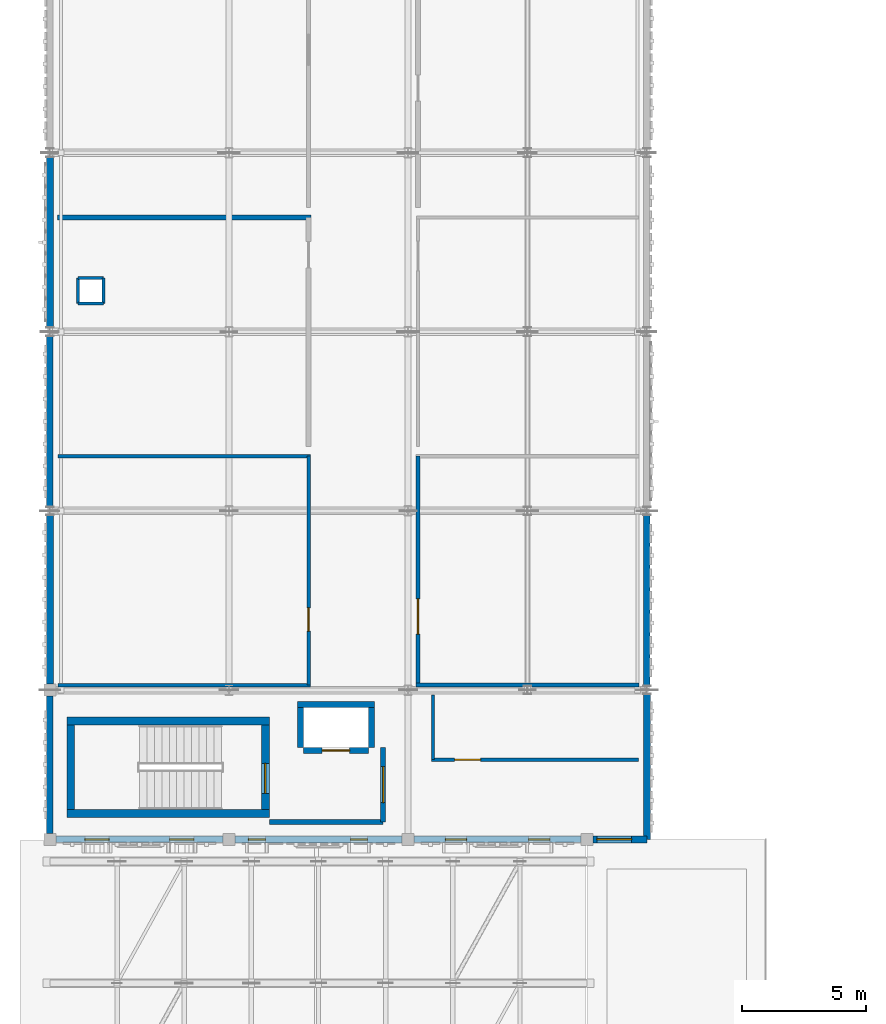
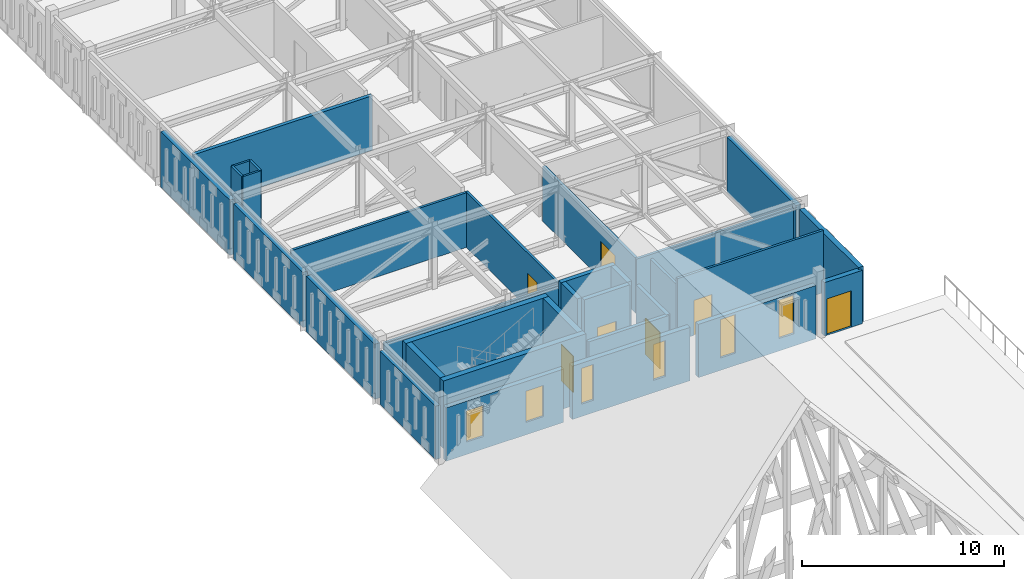
# One storey, part 46 of 79: 32 walls, 7 doors, 6 windows, 13 openings.
"""IFC4 building model written with IfcOpenShell, lengths in metres."""

from ifc_helpers import new_model, si_unit, direction, frame, frame_2d, origin, place, context, subcontext, project, spatial, rectangle, extrude, material, layer, layer_set, type_object, element, fill, save


model = new_model("IFC4")

# Units and contexts
model_context = context("Model", 3, precision=1e-05, world=origin(), true_north=direction((0.0, 1.0)))
body_context = subcontext(model_context, "Body", "Model", "MODEL_VIEW")
ifc_project = project(units=[si_unit("LENGTHUNIT", "METRE"), si_unit("AREAUNIT", "SQUARE_METRE"), si_unit("VOLUMEUNIT", "CUBIC_METRE"), si_unit("PLANEANGLEUNIT", "RADIAN"), si_unit("MASSUNIT", "GRAM", prefix="KILO")], contexts=[model_context])

# Site, building, storey
site_placement = place(None, origin())
site = spatial("IfcSite", under=ifc_project, at=site_placement, CompositionType="ELEMENT")
building_placement = place(site_placement, origin())
building = spatial("IfcBuilding", under=site, at=building_placement, Name="Nzembalo Square Collegiate School", CompositionType="ELEMENT")
storey_placement = place(building_placement, frame((0.0, 0.0, 9.52001953125)))
storey = spatial("IfcBuildingStorey", under=building, at=storey_placement, Name="L02", CompositionType="ELEMENT", Elevation=9.52001953125)

# Walls
ifc_material_1 = material(Name="Concrete C40/50", Category="concrete")
ifc_layer_1 = layer(ifc_material_1, 0.320068359375, Name="Concrete C40/50")
ifc_layer_set_1 = layer_set([ifc_layer_1], Name="Concrete C40/50")
wall_type_1 = type_object("IfcWallType", Name="SW01", PredefinedType="SHEAR", material=ifc_layer_set_1)
wall_1_placement = place(storey_placement, frame((9.239990234375, 45.60009765625, 0.0), z_axis=(0.0, 0.0, 1.0), x_axis=(0.0, 1.0, 0.0)))
element("IfcWall", 1, at=wall_1_placement, inside=storey, type_object=wall_type_1, Name="Core C1 stair shear wall W L02", PredefinedType="SHEAR", context=body_context, shape_type="SweptSolid", body=[
    extrude(rectangle(XDim=3.39990234375, YDim=0.320068359375, at=frame_2d((1.699951171875, 0.0))), origin(), (0.0, 0.0, 1.0), 4.080078125),
])
for number, where, z_axis, x_axis, name in (
    (2, (9.080078125, 45.43994140625, 0.0), (0.0, 0.0, 1.0), (1.0, 0.0, 0.0), "Core C1 stair shear wall S L02"),
    (3, (9.080078125, 49.159912109375, 0.0), (0.0, 0.0, 1.0), (1.0, 0.0, 0.0), "Core C1 stair shear wall N L02"),
):
    element("IfcWall", number, at=place(storey_placement, frame(where, z_axis=z_axis, x_axis=x_axis)), inside=storey, type_object=wall_type_1, Name=name, PredefinedType="SHEAR", context=body_context, shape_type="SweptSolid", body=[
        extrude(rectangle(XDim=8.139892578125, YDim=0.320068359375, at=frame_2d((4.06982421875, 0.0))), origin(), (0.0, 0.0, 1.0), 4.080078125),
    ])

# Wall, opening, door
wall_2_placement = place(storey_placement, frame((17.06005859375, 45.60009765625, 0.0), z_axis=(0.0, 0.0, 1.0), x_axis=(0.0, 1.0, 0.0)))
wall_2 = element("IfcWall", 4, at=wall_2_placement, inside=storey, type_object=wall_type_1, Name="Core C1 stair shear wall E L02", PredefinedType="SHEAR", context=body_context, shape_type="SweptSolid", body=[
    extrude(rectangle(XDim=3.39990234375, YDim=0.320068359375, at=frame_2d((1.699951171875, 0.0))), origin(), (0.0, 0.0, 1.0), 4.080078125),
])
opening_1_placement = place(wall_2_placement, frame((0.64990234375, 0.0, 0.0)))
opening_1 = element("IfcOpeningElement", 5, at=opening_1_placement, cuts=wall_2, Name="Opening FD-007", PredefinedType="OPENING", context=body_context, shape_type="SweptSolid", body=[
    extrude(rectangle(XDim=1.199951171875, YDim=2.199951171875, at=frame_2d((0.60009765625, 1.10009765625))), frame((0.0, 0.169921875, 0.0), z_axis=(0.0, -1.0, 0.0), x_axis=(1.0, 0.0, 0.0)), (0.0, 0.0, 1.0), 0.340087890625),
])
ifc_material_2 = material(Name="Fire-rated steel acoustic door", Category="steel")
door_type_1 = type_object("IfcDoorType", Name="FD01", OperationType="NOTDEFINED", PredefinedType="DOOR", material=ifc_material_2)
door_1_placement = place(opening_1_placement, origin())
door_1 = element("IfcDoor", 6, at=door_1_placement, inside=storey, type_object=door_type_1, Name="Stair fire door FD-007", OperationType="SINGLE_SWING_LEFT", OverallHeight=2.199951171875, OverallWidth=1.199951171875, PredefinedType="DOOR", context=body_context, shape_type="SweptSolid", body=[
    extrude(rectangle(XDim=1.199951171875, YDim=2.199951171875, at=frame_2d((0.60009765625, 1.10009765625))), frame((0.0, 0.02490234375, 0.0), z_axis=(0.0, -1.0, 0.0), x_axis=(1.0, 0.0, 0.0)), (0.0, 0.0, 1.0), 0.050048828125),
])
fill(opening_1, door_1)

# Walls
ifc_material_3 = material(Name="Concrete C35/45", Category="concrete")
ifc_layer_2 = layer(ifc_material_3, 0.25, Name="Concrete C35/45")
ifc_layer_set_2 = layer_set([ifc_layer_2], Name="Concrete C35/45")
wall_type_2 = type_object("IfcWallType", Name="SW05", PredefinedType="SHEAR", material=ifc_layer_set_2)
for number, where, z_axis, x_axis, name in (
    (7, (18.47509765625, 48.10009765625, 0.0), (0.0, 0.0, 1.0), (0.0, 1.0, 0.0), "Lift LF1 shaft wall W L02"),
    (8, (21.324951171875, 48.10009765625, 0.0), (0.0, 0.0, 1.0), (0.0, 1.0, 0.0), "Lift LF1 shaft wall E L02"),
):
    element("IfcWall", number, at=place(storey_placement, frame(where, z_axis=z_axis, x_axis=x_axis)), inside=storey, type_object=wall_type_2, Name=name, PredefinedType="SHEAR", context=body_context, shape_type="SweptSolid", body=[
        extrude(rectangle(XDim=1.599853515625, YDim=0.25, at=frame_2d((0.7998046875, 0.0))), origin(), (0.0, 0.0, 1.0), 4.080078125),
    ])
wall_3_placement = place(storey_placement, frame((18.35009765625, 49.824951171875, 0.0), z_axis=(0.0, 0.0, 1.0), x_axis=(1.0, 0.0, 0.0)))
element("IfcWall", 9, at=wall_3_placement, inside=storey, type_object=wall_type_2, Name="Lift LF1 shaft wall N L02", PredefinedType="SHEAR", context=body_context, shape_type="SweptSolid", body=[
    extrude(rectangle(XDim=3.099853515625, YDim=0.25, at=frame_2d((1.5498046875, 0.0))), origin(), (0.0, 0.0, 1.0), 4.080078125),
])

# Wall, opening, door
wall_4_placement = place(storey_placement, frame((18.60009765625, 47.97509765625, 0.0), z_axis=(0.0, 0.0, 1.0), x_axis=(1.0, 0.0, 0.0)))
wall_4 = element("IfcWall", 10, at=wall_4_placement, inside=storey, type_object=wall_type_2, Name="Lift LF1 landing front wall L02", PredefinedType="SHEAR", context=body_context, shape_type="SweptSolid", body=[
    extrude(rectangle(XDim=2.599853515625, YDim=0.25, at=frame_2d((1.2998046875, 0.0))), origin(), (0.0, 0.0, 1.0), 4.080078125),
])
opening_2_placement = place(wall_4_placement, frame((0.75, 0.0, 0.0)))
opening_2 = element("IfcOpeningElement", 11, at=opening_2_placement, cuts=wall_4, Name="Opening LD-LF1-L02", PredefinedType="OPENING", context=body_context, shape_type="SweptSolid", body=[
    extrude(rectangle(XDim=1.10009765625, YDim=2.14990234375, at=frame_2d((0.550048828125, 1.074951171875))), frame((0.0, 0.135009765625, 0.0), z_axis=(0.0, -1.0, 0.0), x_axis=(1.0, 0.0, 0.0)), (0.0, 0.0, 1.0), 0.27001953125),
])
ifc_material_4 = material(Name="Stainless-steel sliding landing door", Category="steel")
door_type_2 = type_object("IfcDoorType", Name="LD01", OperationType="DOUBLE_DOOR_SLIDING", PredefinedType="DOOR", material=ifc_material_4)
door_2_placement = place(opening_2_placement, origin())
door_2 = element("IfcDoor", 12, at=door_2_placement, inside=storey, type_object=door_type_2, Name="Sliding lift landing door LD-LF1-L02", OperationType="DOUBLE_DOOR_SLIDING", OverallHeight=2.14990234375, OverallWidth=1.10009765625, PredefinedType="DOOR", context=body_context, shape_type="SweptSolid", body=[
    extrude(rectangle(XDim=1.10009765625, YDim=2.14990234375, at=frame_2d((0.550048828125, 1.074951171875))), frame((0.0, 0.02490234375, 0.0), z_axis=(0.0, -1.0, 0.0), x_axis=(1.0, 0.0, 0.0)), (0.0, 0.0, 1.0), 0.050048828125),
])
fill(opening_2, door_2)

# Wall, openings, windows
ifc_material_5 = material(Name="Concrete C30/37", Category="concrete")
ifc_layer_3 = layer(ifc_material_5, 0.284912109375, Name="Concrete C30/37")
ifc_layer_set_3 = layer_set([ifc_layer_3], Name="Concrete C30/37")
wall_type_3 = type_object("IfcWallType", Name="W05", PredefinedType="SOLIDWALL", material=ifc_layer_set_3)
wall_5_placement = place(storey_placement, frame((15.842041015625, 44.39990234375, 0.0), z_axis=(0.0, 0.0, 1.0), x_axis=(1.0, 0.0, 0.0)))
wall_5 = element("IfcWall", 13, at=wall_5_placement, inside=storey, type_object=wall_type_3, Name="Exterior wall W05 L02", PredefinedType="SOLIDWALL", context=body_context, shape_type="SweptSolid", body=[
    extrude(rectangle(XDim=6.716064453125, YDim=0.284912109375, at=frame_2d((3.35791015625, 0.0))), origin(), (0.0, 0.0, 1.0), 3.218994140625),
])
opening_3_placement = place(wall_5_placement, frame((0.5380859375, 0.0, 0.75)))
opening_3 = element("IfcOpeningElement", 14, at=opening_3_placement, cuts=wall_5, Name="Opening WN-L02-502", PredefinedType="OPENING", context=body_context, shape_type="SweptSolid", body=[
    extrude(rectangle(XDim=0.679931640625, YDim=2.159912109375, at=frame_2d((0.33984375, 1.080078125))), frame((0.0, 0.15234375, 0.0), z_axis=(0.0, -1.0, 0.0), x_axis=(1.0, 0.0, 0.0)), (0.0, 0.0, 1.0), 0.304931640625),
])
opening_4_placement = place(wall_5_placement, frame((4.64697265625, 0.0, 0.75)))
opening_4 = element("IfcOpeningElement", 15, at=opening_4_placement, cuts=wall_5, Name="Opening WN-L02-503", PredefinedType="OPENING", context=body_context, shape_type="SweptSolid", body=[
    extrude(rectangle(XDim=0.679931640625, YDim=2.159912109375, at=frame_2d((0.33984375, 1.080078125))), frame((0.0, 0.15234375, 0.0), z_axis=(0.0, -1.0, 0.0), x_axis=(1.0, 0.0, 0.0)), (0.0, 0.0, 1.0), 0.304931640625),
])
ifc_material_6 = material(Name="Powder-coated aluminium and low-E double glazing", Category="aluminium")
window_type_1 = type_object("IfcWindowType", Name="WN59", PartitioningType="SINGLE_PANEL", PredefinedType="WINDOW", material=ifc_material_6)
window_1_placement = place(opening_3_placement, origin())
window_1 = element("IfcWindow", 16, at=window_1_placement, inside=storey, type_object=window_type_1, Name="Lancet window WN-L02-502", OverallHeight=2.159912109375, OverallWidth=0.679931640625, PartitioningType="SINGLE_PANEL", PredefinedType="WINDOW", context=body_context, shape_type="SweptSolid", body=[
    extrude(rectangle(XDim=0.679931640625, YDim=2.159912109375, at=frame_2d((0.33984375, 1.080078125))), frame((0.0, 0.030029296875, 0.0), z_axis=(0.0, -1.0, 0.0), x_axis=(1.0, 0.0, 0.0)), (0.0, 0.0, 1.0), 0.06005859375),
])
fill(opening_3, window_1)
window_2_placement = place(opening_4_placement, origin())
window_2 = element("IfcWindow", 17, at=window_2_placement, inside=storey, type_object=window_type_1, Name="Lancet window WN-L02-503", OverallHeight=2.159912109375, OverallWidth=0.679931640625, PartitioningType="SINGLE_PANEL", PredefinedType="WINDOW", context=body_context, shape_type="SweptSolid", body=[
    extrude(rectangle(XDim=0.679931640625, YDim=2.159912109375, at=frame_2d((0.33984375, 1.080078125))), frame((0.0, 0.030029296875, 0.0), z_axis=(0.0, -1.0, 0.0), x_axis=(1.0, 0.0, 0.0)), (0.0, 0.0, 1.0), 0.06005859375),
])
fill(opening_4, window_2)

# Wall, opening, door
wall_6_placement = place(storey_placement, frame((30.241943359375, 44.39990234375, 0.0), z_axis=(0.0, 0.0, 1.0), x_axis=(1.0, 0.0, 0.0)))
wall_6 = element("IfcWall", 18, at=wall_6_placement, inside=storey, type_object=wall_type_3, Name="Exterior wall W05 L02", PredefinedType="SOLIDWALL", context=body_context, shape_type="SweptSolid", body=[
    extrude(rectangle(XDim=2.157958984375, YDim=0.284912109375, at=frame_2d((1.0791015625, 0.0))), origin(), (0.0, 0.0, 1.0), 3.218994140625),
])
opening_5_placement = place(wall_6_placement, frame((0.14990234375, 0.0, 0.0)))
opening_5 = element("IfcOpeningElement", 19, at=opening_5_placement, cuts=wall_6, Name="Opening TD-201", PredefinedType="OPENING", context=body_context, shape_type="SweptSolid", body=[
    extrude(rectangle(XDim=1.39990234375, YDim=2.199951171875, at=frame_2d((0.699951171875, 1.10009765625))), frame((0.0, 0.15234375, 0.0), z_axis=(0.0, -1.0, 0.0), x_axis=(1.0, 0.0, 0.0)), (0.0, 0.0, 1.0), 0.304931640625),
])
ifc_material_7 = material(Name="Powder-coated steel and safety glass", Category="steel")
door_type_3 = type_object("IfcDoorType", Name="TD02", OperationType="DOUBLE_DOOR_SINGLE_SWING", PredefinedType="DOOR", material=ifc_material_7)
door_3_placement = place(opening_5_placement, frame((1.39990234375, 0.0, 0.0), z_axis=(0.0, 0.0, 1.0), x_axis=(-1.0, 0.0, 0.0)))
door_3 = element("IfcDoor", 20, at=door_3_placement, inside=storey, type_object=door_type_3, Name="Exterior door TD-201", OperationType="DOUBLE_DOOR_SINGLE_SWING", OverallHeight=2.199951171875, OverallWidth=1.39990234375, PredefinedType="DOOR", context=body_context, shape_type="SweptSolid", body=[
    extrude(rectangle(XDim=1.39990234375, YDim=2.199951171875, at=frame_2d((0.699951171875, 1.10009765625))), frame((0.0, 0.02490234375, 0.0), z_axis=(0.0, -1.0, 0.0), x_axis=(1.0, 0.0, 0.0)), (0.0, 0.0, 1.0), 0.050048828125),
])
fill(opening_5, door_3)

# Walls
wall_7_placement = place(storey_placement, frame((8.39990234375, 50.64208984375, 0.0), z_axis=(0.0, 0.0, 1.0), x_axis=(0.0, 1.0, 0.0)))
element("IfcWall", 21, at=wall_7_placement, inside=storey, type_object=wall_type_3, Name="Exterior wall W05 L02", PredefinedType="SOLIDWALL", context=body_context, shape_type="SweptSolid", body=[
    extrude(rectangle(XDim=6.781005859375, YDim=0.284912109375, at=frame_2d((3.390625, 0.0))), origin(), (0.0, 0.0, 1.0), 3.3291015625),
])
wall_8_placement = place(storey_placement, frame((8.39990234375, 64.97705078125, 0.0), z_axis=(0.0, 0.0, 1.0), x_axis=(0.0, 1.0, 0.0)))
element("IfcWall", 22, at=wall_8_placement, inside=storey, type_object=wall_type_3, Name="Exterior wall W05 L02", PredefinedType="SOLIDWALL", context=body_context, shape_type="SweptSolid", body=[
    extrude(rectangle(XDim=6.845947265625, YDim=0.284912109375, at=frame_2d((3.4228515625, 0.0))), origin(), (0.0, 0.0, 1.0), 3.3291015625),
])
wall_9_placement = place(storey_placement, frame((32.39990234375, 44.39990234375, 0.0), z_axis=(0.0, 0.0, 1.0), x_axis=(0.0, 1.0, 0.0)))
element("IfcWall", 23, at=wall_9_placement, inside=storey, type_object=wall_type_3, Name="Exterior wall W05 L02", PredefinedType="SOLIDWALL", context=body_context, shape_type="SweptSolid", body=[
    extrude(rectangle(XDim=5.822998046875, YDim=0.284912109375, at=frame_2d((2.91162109375, 0.0))), origin(), (0.0, 0.0, 1.0), 3.3291015625),
])

# Wall, openings, windows
ifc_material_8 = material(Name="Concrete C30/37", Category="concrete")
ifc_layer_4 = layer(ifc_material_8, 0.264892578125, Name="Concrete C30/37")
ifc_layer_set_4 = layer_set([ifc_layer_4], Name="Concrete C30/37")
wall_type_4 = type_object("IfcWallType", Name="W06", PredefinedType="SOLIDWALL", material=ifc_layer_set_4)
wall_10_placement = place(storey_placement, frame((8.64208984375, 44.39990234375, 0.0), z_axis=(0.0, 0.0, 1.0), x_axis=(1.0, 0.0, 0.0)))
wall_10 = element("IfcWall", 24, at=wall_10_placement, inside=storey, type_object=wall_type_4, Name="Exterior wall W06 L02", PredefinedType="SOLIDWALL", context=body_context, shape_type="SweptSolid", body=[
    extrude(rectangle(XDim=6.7158203125, YDim=0.264892578125, at=frame_2d((3.35791015625, 0.0))), origin(), (0.0, 0.0, 1.0), 3.218994140625),
])
opening_6_placement = place(wall_10_placement, frame((1.1640625, 0.0, 0.75)))
opening_6 = element("IfcOpeningElement", 25, at=opening_6_placement, cuts=wall_10, Name="Opening WN-L02-485", PredefinedType="OPENING", context=body_context, shape_type="SweptSolid", body=[
    extrude(rectangle(XDim=0.97998046875, YDim=1.8798828125, at=frame_2d((0.489990234375, 0.93994140625))), frame((0.0, 0.142578125, 0.0), z_axis=(0.0, -1.0, 0.0), x_axis=(1.0, 0.0, 0.0)), (0.0, 0.0, 1.0), 0.284912109375),
])
opening_7_placement = place(wall_10_placement, frame((4.572021484375, 0.0, 0.75)))
opening_7 = element("IfcOpeningElement", 26, at=opening_7_placement, cuts=wall_10, Name="Opening WN-L02-486", PredefinedType="OPENING", context=body_context, shape_type="SweptSolid", body=[
    extrude(rectangle(XDim=0.97998046875, YDim=1.8798828125, at=frame_2d((0.489990234375, 0.93994140625))), frame((0.0, 0.142578125, 0.0), z_axis=(0.0, -1.0, 0.0), x_axis=(1.0, 0.0, 0.0)), (0.0, 0.0, 1.0), 0.284912109375),
])
ifc_material_9 = material(Name="Powder-coated aluminium and low-E double glazing", Category="aluminium")
window_type_2 = type_object("IfcWindowType", Name="WN42", PartitioningType="SINGLE_PANEL", PredefinedType="WINDOW", material=ifc_material_9)
window_3_placement = place(opening_6_placement, origin())
window_3 = element("IfcWindow", 27, at=window_3_placement, inside=storey, type_object=window_type_2, Name="Lancet window WN-L02-485", OverallHeight=1.8798828125, OverallWidth=0.97998046875, PartitioningType="SINGLE_PANEL", PredefinedType="WINDOW", context=body_context, shape_type="SweptSolid", body=[
    extrude(rectangle(XDim=0.97998046875, YDim=1.8798828125, at=frame_2d((0.489990234375, 0.93994140625))), frame((0.0, 0.030029296875, 0.0), z_axis=(0.0, -1.0, 0.0), x_axis=(1.0, 0.0, 0.0)), (0.0, 0.0, 1.0), 0.06005859375),
])
fill(opening_6, window_3)
window_4_placement = place(opening_7_placement, origin())
window_4 = element("IfcWindow", 28, at=window_4_placement, inside=storey, type_object=window_type_2, Name="Lancet window WN-L02-486", OverallHeight=1.8798828125, OverallWidth=0.97998046875, PartitioningType="SINGLE_PANEL", PredefinedType="WINDOW", context=body_context, shape_type="SweptSolid", body=[
    extrude(rectangle(XDim=0.97998046875, YDim=1.8798828125, at=frame_2d((0.489990234375, 0.93994140625))), frame((0.0, 0.030029296875, 0.0), z_axis=(0.0, -1.0, 0.0), x_axis=(1.0, 0.0, 0.0)), (0.0, 0.0, 1.0), 0.06005859375),
])
fill(opening_7, window_4)

wall_11_placement = place(storey_placement, frame((23.0419921875, 44.39990234375, 0.0), z_axis=(0.0, 0.0, 1.0), x_axis=(1.0, 0.0, 0.0)))
wall_11 = element("IfcWall", 29, at=wall_11_placement, inside=storey, type_object=wall_type_4, Name="Exterior wall W06 L02", PredefinedType="SOLIDWALL", context=body_context, shape_type="SweptSolid", body=[
    extrude(rectangle(XDim=6.716064453125, YDim=0.264892578125, at=frame_2d((3.35791015625, 0.0))), origin(), (0.0, 0.0, 1.0), 3.218994140625),
])
opening_8_placement = place(wall_11_placement, frame((1.25390625, 0.0, 0.75)))
opening_8 = element("IfcOpeningElement", 30, at=opening_8_placement, cuts=wall_11, Name="Opening WN-L02-504", PredefinedType="OPENING", context=body_context, shape_type="SweptSolid", body=[
    extrude(rectangle(XDim=0.860107421875, YDim=2.320068359375, at=frame_2d((0.43017578125, 1.16015625))), frame((0.0, 0.142578125, 0.0), z_axis=(0.0, -1.0, 0.0), x_axis=(1.0, 0.0, 0.0)), (0.0, 0.0, 1.0), 0.284912109375),
])
opening_9_placement = place(wall_11_placement, frame((4.60205078125, 0.0, 0.75)))
opening_9 = element("IfcOpeningElement", 31, at=opening_9_placement, cuts=wall_11, Name="Opening WN-L02-505", PredefinedType="OPENING", context=body_context, shape_type="SweptSolid", body=[
    extrude(rectangle(XDim=0.860107421875, YDim=2.320068359375, at=frame_2d((0.43017578125, 1.16015625))), frame((0.0, 0.142578125, 0.0), z_axis=(0.0, -1.0, 0.0), x_axis=(1.0, 0.0, 0.0)), (0.0, 0.0, 1.0), 0.284912109375),
])
ifc_material_10 = material(Name="Powder-coated aluminium and low-E double glazing", Category="aluminium")
window_type_3 = type_object("IfcWindowType", Name="WN61", PartitioningType="SINGLE_PANEL", PredefinedType="WINDOW", material=ifc_material_10)
window_5_placement = place(opening_8_placement, origin())
window_5 = element("IfcWindow", 32, at=window_5_placement, inside=storey, type_object=window_type_3, Name="Lancet window WN-L02-504", OverallHeight=2.320068359375, OverallWidth=0.860107421875, PartitioningType="SINGLE_PANEL", PredefinedType="WINDOW", context=body_context, shape_type="SweptSolid", body=[
    extrude(rectangle(XDim=0.860107421875, YDim=2.320068359375, at=frame_2d((0.43017578125, 1.16015625))), frame((0.0, 0.030029296875, 0.0), z_axis=(0.0, -1.0, 0.0), x_axis=(1.0, 0.0, 0.0)), (0.0, 0.0, 1.0), 0.06005859375),
])
fill(opening_8, window_5)
window_6_placement = place(opening_9_placement, origin())
window_6 = element("IfcWindow", 33, at=window_6_placement, inside=storey, type_object=window_type_3, Name="Lancet window WN-L02-505", OverallHeight=2.320068359375, OverallWidth=0.860107421875, PartitioningType="SINGLE_PANEL", PredefinedType="WINDOW", context=body_context, shape_type="SweptSolid", body=[
    extrude(rectangle(XDim=0.860107421875, YDim=2.320068359375, at=frame_2d((0.43017578125, 1.16015625))), frame((0.0, 0.030029296875, 0.0), z_axis=(0.0, -1.0, 0.0), x_axis=(1.0, 0.0, 0.0)), (0.0, 0.0, 1.0), 0.06005859375),
])
fill(opening_9, window_6)

# Walls
wall_12_placement = place(storey_placement, frame((8.39990234375, 44.64208984375, 0.0), z_axis=(0.0, 0.0, 1.0), x_axis=(0.0, 1.0, 0.0)))
element("IfcWall", 34, at=wall_12_placement, inside=storey, type_object=wall_type_4, Name="Exterior wall W06 L02", PredefinedType="SOLIDWALL", context=body_context, shape_type="SweptSolid", body=[
    extrude(rectangle(XDim=5.515869140625, YDim=0.264892578125, at=frame_2d((2.7578125, 0.0))), origin(), (0.0, 0.0, 1.0), 3.218994140625),
])
wall_13_placement = place(storey_placement, frame((8.39990234375, 57.777099609375, 0.0), z_axis=(0.0, 0.0, 1.0), x_axis=(0.0, 1.0, 0.0)))
element("IfcWall", 35, at=wall_13_placement, inside=storey, type_object=wall_type_4, Name="Exterior wall W06 L02", PredefinedType="SOLIDWALL", context=body_context, shape_type="SweptSolid", body=[
    extrude(rectangle(XDim=6.845947265625, YDim=0.264892578125, at=frame_2d((3.4228515625, 0.0))), origin(), (0.0, 0.0, 1.0), 3.3291015625),
])
wall_14_placement = place(storey_placement, frame((32.39990234375, 50.576904296875, 0.0), z_axis=(0.0, 0.0, 1.0), x_axis=(0.0, 1.0, 0.0)))
element("IfcWall", 36, at=wall_14_placement, inside=storey, type_object=wall_type_4, Name="Exterior wall W06 L02", PredefinedType="SOLIDWALL", context=body_context, shape_type="SweptSolid", body=[
    extrude(rectangle(XDim=6.84619140625, YDim=0.264892578125, at=frame_2d((3.423095703125, 0.0))), origin(), (0.0, 0.0, 1.0), 3.3291015625),
])

# Wall, opening, door
ifc_material_11 = material(Name="Concrete blockwork C25/30", Category="masonry")
ifc_layer_5 = layer(ifc_material_11, 0.199951171875, Name="Concrete blockwork C25/30")
ifc_layer_set_5 = layer_set([ifc_layer_5], Name="Concrete blockwork C25/30")
wall_type_5 = type_object("IfcWallType", Name="W11", PredefinedType="PARTITIONING", material=ifc_layer_set_5)
wall_15_placement = place(storey_placement, frame((21.800048828125, 45.10009765625, 0.0), z_axis=(0.0, 0.0, 1.0), x_axis=(0.0, 1.0, 0.0)))
wall_15 = element("IfcWall", 37, at=wall_15_placement, inside=storey, type_object=wall_type_5, Name="Core C1 EI 60 lobby wall E L02", PredefinedType="PARTITIONING", context=body_context, shape_type="SweptSolid", body=[
    extrude(rectangle(XDim=3.0, YDim=0.199951171875, at=frame_2d((1.5, 0.0))), origin(), (0.0, 0.0, 1.0), 3.75390625),
])
opening_10_placement = place(wall_15_placement, frame((0.77490234375, 0.0, 0.0)))
opening_10 = element("IfcOpeningElement", 38, at=opening_10_placement, cuts=wall_15, Name="Opening FD-008", PredefinedType="OPENING", context=body_context, shape_type="SweptSolid", body=[
    extrude(rectangle(XDim=1.449951171875, YDim=2.199951171875, at=frame_2d((0.72509765625, 1.10009765625))), frame((0.0, 0.10986328125, 0.0), z_axis=(0.0, -1.0, 0.0), x_axis=(1.0, 0.0, 0.0)), (0.0, 0.0, 1.0), 0.219970703125),
])
ifc_material_12 = material(Name="Fire-rated double lobby door")
door_type_4 = type_object("IfcDoorType", Name="FD02", OperationType="DOUBLE_DOOR_SINGLE_SWING", PredefinedType="DOOR", material=ifc_material_12)
door_4_placement = place(opening_10_placement, frame((1.449951171875, 0.0, 0.0), z_axis=(0.0, 0.0, 1.0), x_axis=(-1.0, 0.0, 0.0)))
door_4 = element("IfcDoor", 39, at=door_4_placement, inside=storey, type_object=door_type_4, Name="Protected lobby fire door FD-008", OperationType="DOUBLE_DOOR_SINGLE_SWING", OverallHeight=2.199951171875, OverallWidth=1.449951171875, PredefinedType="DOOR", context=body_context, shape_type="SweptSolid", body=[
    extrude(rectangle(XDim=1.449951171875, YDim=2.199951171875, at=frame_2d((0.72509765625, 1.10009765625))), frame((0.0, 0.02490234375, 0.0), z_axis=(0.0, -1.0, 0.0), x_axis=(1.0, 0.0, 0.0)), (0.0, 0.0, 1.0), 0.050048828125),
])
fill(opening_10, door_4)

# Walls
wall_16_placement = place(storey_placement, frame((17.219970703125, 45.10009765625, 0.0), z_axis=(0.0, 0.0, 1.0), x_axis=(1.0, 0.0, 0.0)))
element("IfcWall", 40, at=wall_16_placement, inside=storey, type_object=wall_type_5, Name="Core C1 EI 60 lobby wall S L02", PredefinedType="PARTITIONING", context=body_context, shape_type="SweptSolid", body=[
    extrude(rectangle(XDim=4.580078125, YDim=0.199951171875, at=frame_2d((2.2900390625, 0.0))), origin(), (0.0, 0.0, 1.0), 3.75390625),
])
ifc_material_13 = material(Name="Acoustic double-board stud")
ifc_layer_6 = layer(ifc_material_13, 0.14990234375, Name="Acoustic double-board stud")
ifc_layer_set_6 = layer_set([ifc_layer_6], Name="Acoustic double-board stud")
wall_type_6 = type_object("IfcWallType", Name="W17", PredefinedType="PARTITIONING", material=ifc_layer_set_6)
wall_17_placement = place(storey_placement, frame((23.125, 50.60009765625, 0.0), z_axis=(0.0, 0.0, 1.0), x_axis=(1.0, 0.0, 0.0)))
element("IfcWall", 41, at=wall_17_placement, inside=storey, type_object=wall_type_6, Name="Interior partition W17 L02-023-S", PredefinedType="PARTITIONING", context=body_context, shape_type="SweptSolid", body=[
    extrude(rectangle(XDim=8.949951171875, YDim=0.14990234375, at=frame_2d((4.47509765625, 0.0))), origin(), (0.0, 0.0, 1.0), 3.3291015625),
])

# Wall, opening, door
wall_18_placement = place(storey_placement, frame((23.199951171875, 50.60009765625, 0.0), z_axis=(0.0, 0.0, 1.0), x_axis=(0.0, 1.0, 0.0)))
wall_18 = element("IfcWall", 42, at=wall_18_placement, inside=storey, type_object=wall_type_6, Name="Interior partition W17 L02-023-W", PredefinedType="PARTITIONING", context=body_context, shape_type="SweptSolid", body=[
    extrude(rectangle(XDim=9.199951171875, YDim=0.14990234375, at=frame_2d((4.60009765625, 0.0))), origin(), (0.0, 0.0, 1.0), 3.3291015625),
])
opening_11_placement = place(wall_18_placement, frame((2.044921875, 0.0, 0.0)))
opening_11 = element("IfcOpeningElement", 43, at=opening_11_placement, cuts=wall_18, Name="Opening D-L02-056", PredefinedType="OPENING", context=body_context, shape_type="SweptSolid", body=[
    extrude(rectangle(XDim=1.419921875, YDim=2.260009765625, at=frame_2d((0.7099609375, 1.1298828125))), frame((0.0, 0.0849609375, 0.0), z_axis=(0.0, -1.0, 0.0), x_axis=(1.0, 0.0, 0.0)), (0.0, 0.0, 1.0), 0.169921875),
])
ifc_material_14 = material(Name="Glazed student cafe double door")
door_type_5 = type_object("IfcDoorType", Name="D17", OperationType="DOUBLE_DOOR_SINGLE_SWING", PredefinedType="DOOR", material=ifc_material_14)
door_5_placement = place(opening_11_placement, origin())
door_5 = element("IfcDoor", 44, at=door_5_placement, inside=storey, type_object=door_type_5, Name="Interior door D-L02-056 (Junior Year-Group Classroom 2E)", OperationType="DOUBLE_DOOR_SINGLE_SWING", OverallHeight=2.260009765625, OverallWidth=1.419921875, PredefinedType="DOOR", context=body_context, shape_type="SweptSolid", body=[
    extrude(rectangle(XDim=1.419921875, YDim=2.260009765625, at=frame_2d((0.7099609375, 1.1298828125))), frame((0.0, 0.02490234375, 0.0), z_axis=(0.0, -1.0, 0.0), x_axis=(1.0, 0.0, 0.0)), (0.0, 0.0, 1.0), 0.050048828125),
])
fill(opening_11, door_5)

# Walls
ifc_material_15 = material(Name="Gypsum plasterboard stud")
ifc_layer_7 = layer(ifc_material_15, 0.139892578125, Name="Gypsum plasterboard stud")
ifc_layer_set_7 = layer_set([ifc_layer_7], Name="Gypsum plasterboard stud")
wall_type_7 = type_object("IfcWallType", Name="W18", PredefinedType="PARTITIONING", material=ifc_layer_set_7)
for number, where, z_axis, x_axis, name in (
    (45, (8.72998046875, 50.60009765625, 0.0), (0.0, 0.0, 1.0), (1.0, 0.0, 0.0), "Interior partition W18 L02-019-S"),
    (46, (8.72998046875, 59.800048828125, 0.0), (0.0, 0.0, 1.0), (1.0, 0.0, 0.0), "Interior partition W18 L02-019-N"),
):
    element("IfcWall", number, at=place(storey_placement, frame(where, z_axis=z_axis, x_axis=x_axis)), inside=storey, type_object=wall_type_7, Name=name, PredefinedType="PARTITIONING", context=body_context, shape_type="SweptSolid", body=[
        extrude(rectangle(XDim=10.14013671875, YDim=0.139892578125, at=frame_2d((5.070068359375, 0.0))), origin(), (0.0, 0.0, 1.0), 3.299072265625),
    ])

# Wall, opening, door
wall_19_placement = place(storey_placement, frame((18.800048828125, 50.60009765625, 0.0), z_axis=(0.0, 0.0, 1.0), x_axis=(0.0, 1.0, 0.0)))
wall_19 = element("IfcWall", 47, at=wall_19_placement, inside=storey, type_object=wall_type_7, Name="Interior partition W18 L02-019-E", PredefinedType="PARTITIONING", context=body_context, shape_type="SweptSolid", body=[
    extrude(rectangle(XDim=9.199951171875, YDim=0.139892578125, at=frame_2d((4.60009765625, 0.0))), origin(), (0.0, 0.0, 1.0), 3.3291015625),
])
opening_12_placement = place(wall_19_placement, frame((2.1650390625, 0.0, 0.0)))
opening_12 = element("IfcOpeningElement", 48, at=opening_12_placement, cuts=wall_19, Name="Opening D-L02-052", PredefinedType="OPENING", context=body_context, shape_type="SweptSolid", body=[
    extrude(rectangle(XDim=0.93994140625, YDim=2.10009765625, at=frame_2d((0.469970703125, 1.050048828125))), frame((0.0, 0.080078125, 0.0), z_axis=(0.0, -1.0, 0.0), x_axis=(1.0, 0.0, 0.0)), (0.0, 0.0, 1.0), 0.159912109375),
])
ifc_material_16 = material(Name="Hardwood office door", Category="wood")
door_type_6 = type_object("IfcDoorType", Name="D07", OperationType="NOTDEFINED", PredefinedType="DOOR", material=ifc_material_16)
door_6_placement = place(opening_12_placement, origin())
door_6 = element("IfcDoor", 49, at=door_6_placement, inside=storey, type_object=door_type_6, Name="Interior door D-L02-052 (Junior Year-Group Classroom 2A)", OperationType="SINGLE_SWING_LEFT", OverallHeight=2.10009765625, OverallWidth=0.93994140625, PredefinedType="DOOR", context=body_context, shape_type="SweptSolid", body=[
    extrude(rectangle(XDim=0.93994140625, YDim=2.10009765625, at=frame_2d((0.469970703125, 1.050048828125))), frame((0.0, 0.02490234375, 0.0), z_axis=(0.0, -1.0, 0.0), x_axis=(1.0, 0.0, 0.0)), (0.0, 0.0, 1.0), 0.050048828125),
])
fill(opening_12, door_6)

ifc_material_17 = material(Name="Cement-board wet-room partition")
ifc_layer_8 = layer(ifc_material_17, 0.135009765625, Name="Cement-board wet-room partition")
ifc_layer_set_8 = layer_set([ifc_layer_8], Name="Cement-board wet-room partition")
wall_type_8 = type_object("IfcWallType", Name="W19", PredefinedType="PARTITIONING", material=ifc_layer_set_8)
wall_20_placement = place(storey_placement, frame((23.732421875, 47.60009765625, 0.0), z_axis=(0.0, 0.0, 1.0), x_axis=(1.0, 0.0, 0.0)))
wall_20 = element("IfcWall", 50, at=wall_20_placement, inside=storey, type_object=wall_type_8, Name="Interior partition W19 L02-026-S", PredefinedType="PARTITIONING", context=body_context, shape_type="SweptSolid", body=[
    extrude(rectangle(XDim=8.3349609375, YDim=0.135009765625, at=frame_2d((4.16748046875, 0.0))), origin(), (0.0, 0.0, 1.0), 3.75390625),
])
opening_13_placement = place(wall_20_placement, frame((0.943603515625, 0.0, 0.0)))
opening_13 = element("IfcOpeningElement", 51, at=opening_13_placement, cuts=wall_20, Name="Opening D-L02-059", PredefinedType="OPENING", context=body_context, shape_type="SweptSolid", body=[
    extrude(rectangle(XDim=1.0400390625, YDim=2.1201171875, at=frame_2d((0.52001953125, 1.06005859375))), frame((0.0, 0.07763671875, 0.0), z_axis=(0.0, -1.0, 0.0), x_axis=(1.0, 0.0, 0.0)), (0.0, 0.0, 1.0), 0.155029296875),
])
ifc_material_18 = material(Name="Accessible outward-swing WC door")
door_type_7 = type_object("IfcDoorType", Name="D09", OperationType="NOTDEFINED", PredefinedType="DOOR", material=ifc_material_18)
door_7_placement = place(opening_13_placement, origin())
door_7 = element("IfcDoor", 52, at=door_7_placement, inside=storey, type_object=door_type_7, Name="Interior door D-L02-059 (Pavilion 4A Boys', Girls' and Accessible WCs L02)", OperationType="SINGLE_SWING_RIGHT", OverallHeight=2.1201171875, OverallWidth=1.0400390625, PredefinedType="DOOR", context=body_context, shape_type="SweptSolid", body=[
    extrude(rectangle(XDim=1.0400390625, YDim=2.1201171875, at=frame_2d((0.52001953125, 1.06005859375))), frame((0.0, 0.02490234375, 0.0), z_axis=(0.0, -1.0, 0.0), x_axis=(1.0, 0.0, 0.0)), (0.0, 0.0, 1.0), 0.050048828125),
])
fill(opening_13, door_7)

# Walls
wall_21_placement = place(storey_placement, frame((23.800048828125, 47.60009765625, 0.0), z_axis=(0.0, 0.0, 1.0), x_axis=(0.0, 1.0, 0.0)))
element("IfcWall", 53, at=wall_21_placement, inside=storey, type_object=wall_type_8, Name="Interior partition W19 L02-026-W", PredefinedType="PARTITIONING", context=body_context, shape_type="SweptSolid", body=[
    extrude(rectangle(XDim=2.599853515625, YDim=0.135009765625, at=frame_2d((1.2998046875, 0.0))), origin(), (0.0, 0.0, 1.0), 3.3291015625),
])
ifc_material_19 = material(Name="Concrete blockwork C25/30", Category="masonry")
ifc_layer_9 = layer(ifc_material_19, 0.205078125, Name="Concrete blockwork C25/30")
ifc_layer_set_9 = layer_set([ifc_layer_9], Name="Concrete blockwork C25/30")
wall_type_9 = type_object("IfcWallType", Name="W21", PredefinedType="PARTITIONING", material=ifc_layer_set_9)
wall_22_placement = place(storey_placement, frame((8.697509765625, 69.39990234375, 0.0), z_axis=(0.0, 0.0, 1.0), x_axis=(1.0, 0.0, 0.0)))
element("IfcWall", 54, at=wall_22_placement, inside=storey, type_object=wall_type_9, Name="Interior partition W21 L02-020-N", PredefinedType="PARTITIONING", context=body_context, shape_type="SweptSolid", body=[
    extrude(rectangle(XDim=10.205078125, YDim=0.205078125, at=frame_2d((5.1025390625, 0.0))), origin(), (0.0, 0.0, 1.0), 3.299072265625),
])
ifc_material_20 = material(Name="Fire-rated shaftwall stud")
ifc_layer_10 = layer(ifc_material_20, 0.1201171875, Name="Fire-rated shaftwall stud")
ifc_layer_set_10 = layer_set([ifc_layer_10], Name="Fire-rated shaftwall stud")
wall_type_10 = type_object("IfcWallType", Name="W23", PredefinedType="PARTITIONING", material=ifc_layer_set_10)
for number, where, z_axis, x_axis, name in (
    (55, (9.5400390625, 65.93994140625, 0.0), (0.0, 0.0, 1.0), (1.0, 0.0, 0.0), "Service riser shaftwall W23-015-1"),
    (56, (10.56005859375, 65.93994140625, 0.0), (0.0, 0.0, 1.0), (0.0, 1.0, 0.0), "Service riser shaftwall W23-015-2"),
    (57, (10.56005859375, 66.9599609375, 0.0), (0.0, 0.0, 1.0), (-1.0, 0.0, 0.0), "Service riser shaftwall W23-015-3"),
    (58, (9.5400390625, 66.9599609375, 0.0), (0.0, 0.0, 1.0), (0.0, -1.0, 0.0), "Service riser shaftwall W23-015-4"),
):
    element("IfcWall", number, at=place(storey_placement, frame(where, z_axis=z_axis, x_axis=x_axis)), inside=storey, type_object=wall_type_10, Name=name, PredefinedType="PARTITIONING", context=body_context, shape_type="SweptSolid", body=[
        extrude(rectangle(XDim=1.02001953125, YDim=0.1201171875, at=frame_2d((0.510009765625, 0.0))), origin(), (0.0, 0.0, 1.0), 3.75390625),
    ])

save(model, "model.ifc")
